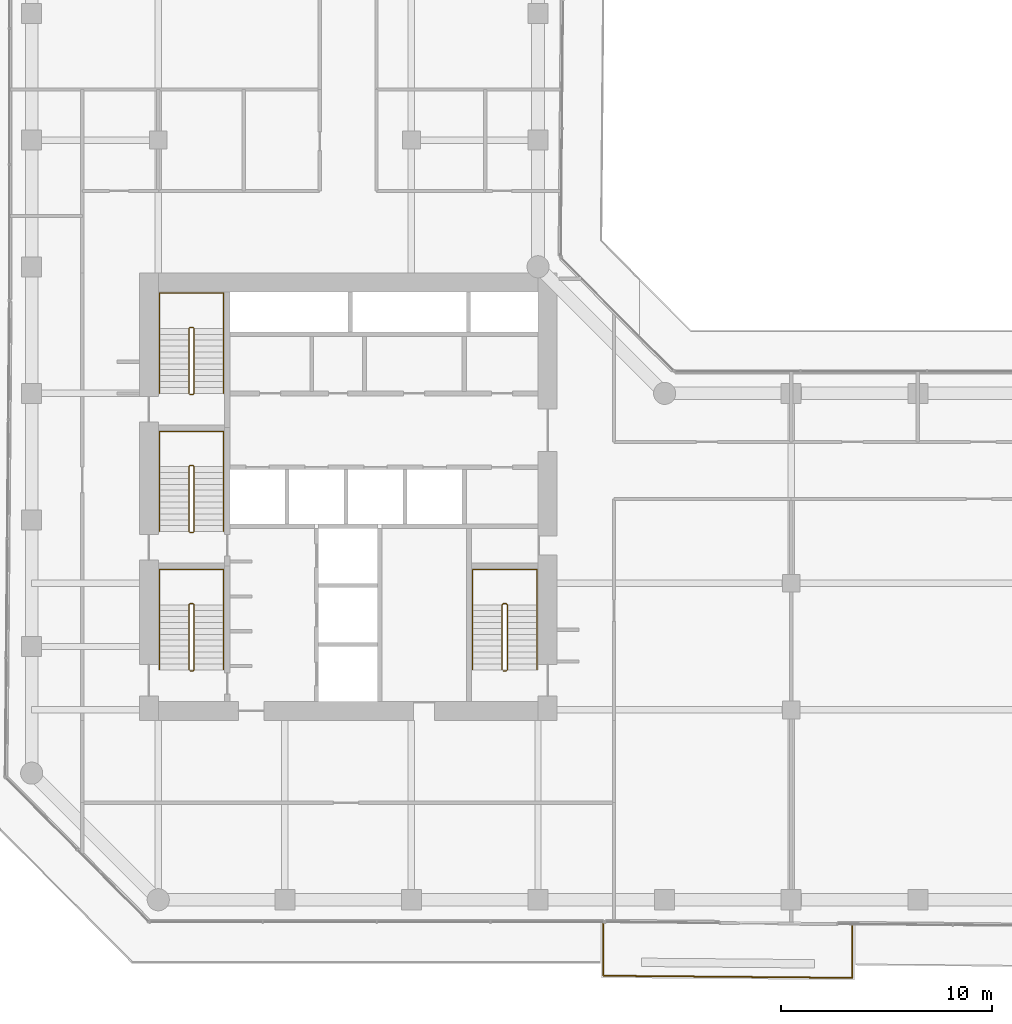
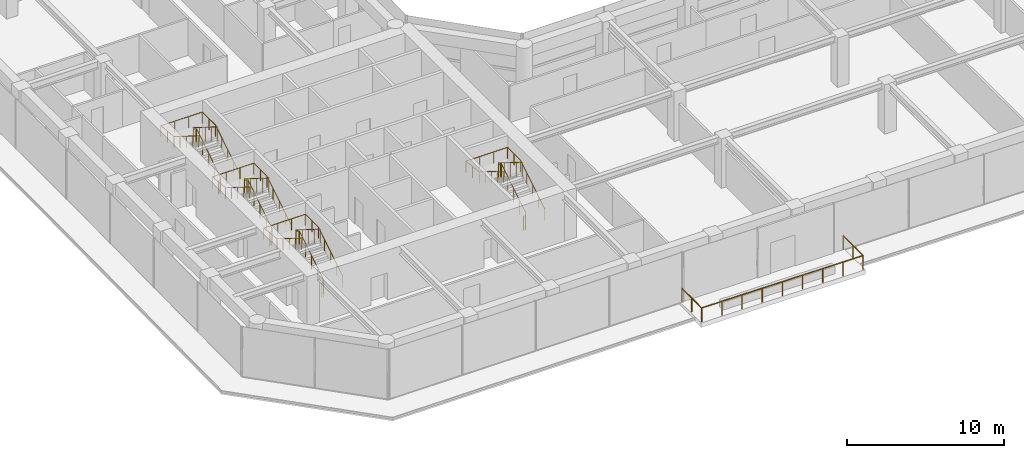
# One storey, part 28 of 29: 9 railings.
"""IFC4 building model written with IfcOpenShell, lengths in metres."""

from ifc_helpers import new_model, si_unit, direction, frame, origin, origin_2d, place, context, subcontext, project, spatial, circle, extrude, material, type_object, element, save


model = new_model("IFC4")

# Units and contexts
model_context = context("Model", 3, precision=1e-05, world=origin(), true_north=direction((0.0, 1.0)))
body_context = subcontext(model_context, "Body", "Model", "MODEL_VIEW")
ifc_project = project(units=[si_unit("LENGTHUNIT", "METRE"), si_unit("AREAUNIT", "SQUARE_METRE"), si_unit("VOLUMEUNIT", "CUBIC_METRE"), si_unit("PLANEANGLEUNIT", "RADIAN"), si_unit("MASSUNIT", "GRAM", prefix="KILO")], contexts=[model_context])

# Site, building, storey
site_placement = place(None, origin())
site = spatial("IfcSite", under=ifc_project, at=site_placement, CompositionType="ELEMENT")
building_placement = place(site_placement, origin())
building = spatial("IfcBuilding", under=site, at=building_placement, Name="Welwitschia Terrace Campus", CompositionType="ELEMENT")
storey_placement = place(building_placement, frame((0.0, 0.0, 50.0)))
storey = spatial("IfcBuildingStorey", under=building, at=storey_placement, Name="L11", CompositionType="ELEMENT", Elevation=50.0)

# Railings
ifc_material_1 = material(Name="Stainless steel grade 316", Category="steel")
railing_type_1 = type_object("IfcRailingType", Name="Guard 1100", PredefinedType="GUARDRAIL", material=ifc_material_1)
railing_1_placement = place(storey_placement, frame((38.900390625, -5.16064453125, 0.0)))
element("IfcRailing", 1, at=railing_1_placement, inside=storey, type_object=railing_type_1, Name="Guard terrace L11:0:0.0", PredefinedType="GUARDRAIL", context=body_context, shape_type="SweptSolid", body=[
    extrude(circle(Radius=0.02392578125, at=origin_2d()), frame((0.0, 0.0, 1.076171875), z_axis=(-0.000192086051, -0.999999981551, 0.0), x_axis=(0.999999981551, -0.000192086051, 0.0)), (0.0, 0.0, 1.0), 2.5419921875),
    extrude(circle(Radius=0.02392578125, at=origin_2d()), frame((-0.00048828125, -2.5419921875, 1.076171875), z_axis=(-0.999962782402, 0.008627503109, 0.0), x_axis=(-0.008627503109, -0.999962782402, 0.0)), (0.0, 0.0, 1.0), 11.80029296875),
    extrude(circle(Radius=0.02392578125, at=origin_2d()), frame((-11.80029296875, -2.440185546875, 1.076171875), z_axis=(0.0, 1.0, 0.0), x_axis=(-1.0, 0.0, 0.0)), (0.0, 0.0, 1.0), 2.542724609375),
    extrude(circle(Radius=0.02099609375, at=origin_2d()), origin(), (0.0, 0.0, 1.0), 1.052001953125),
    extrude(circle(Radius=0.02099609375, at=origin_2d()), frame((-0.000244140625, -1.27099609375, 0.0)), (0.0, 0.0, 1.0), 1.052001953125),
    extrude(circle(Radius=0.02099609375, at=origin_2d()), frame((-0.00048828125, -2.5419921875, 0.0)), (0.0, 0.0, 1.0), 1.052001953125),
    extrude(circle(Radius=0.02099609375, at=origin_2d()), frame((-1.4755859375, -2.529296875, 0.0)), (0.0, 0.0, 1.0), 1.052001953125),
    extrude(circle(Radius=0.02099609375, at=origin_2d()), frame((-2.950439453125, -2.5166015625, 0.0)), (0.0, 0.0, 1.0), 1.052001953125),
    extrude(circle(Radius=0.02099609375, at=origin_2d()), frame((-4.42529296875, -2.50390625, 0.0)), (0.0, 0.0, 1.0), 1.052001953125),
    extrude(circle(Radius=0.02099609375, at=origin_2d()), frame((-5.900390625, -2.4912109375, 0.0)), (0.0, 0.0, 1.0), 1.052001953125),
    extrude(circle(Radius=0.02099609375, at=origin_2d()), frame((-7.37548828125, -2.478271484375, 0.0)), (0.0, 0.0, 1.0), 1.052001953125),
    extrude(circle(Radius=0.02099609375, at=origin_2d()), frame((-8.850341796875, -2.465576171875, 0.0)), (0.0, 0.0, 1.0), 1.052001953125),
    extrude(circle(Radius=0.02099609375, at=origin_2d()), frame((-10.3251953125, -2.452880859375, 0.0)), (0.0, 0.0, 1.0), 1.052001953125),
    extrude(circle(Radius=0.02099609375, at=origin_2d()), frame((-11.80029296875, -2.440185546875, 0.0)), (0.0, 0.0, 1.0), 1.052001953125),
    extrude(circle(Radius=0.02099609375, at=origin_2d()), frame((-11.80029296875, -1.1689453125, 0.0)), (0.0, 0.0, 1.0), 1.052001953125),
    extrude(circle(Radius=0.02099609375, at=origin_2d()), frame((-11.80029296875, 0.1025390625, 0.0)), (0.0, 0.0, 1.0), 1.052001953125),
])
ifc_material_2 = material(Name="Steel S355", Category="steel")
railing_type_2 = type_object("IfcRailingType", Name="Stair guard 1100", PredefinedType="GUARDRAIL", material=ifc_material_2)
railing_2_placement = place(storey_placement, frame((7.5, 6.85009765625, 0.0)))
element("IfcRailing", 2, at=railing_2_placement, inside=storey, type_object=railing_type_2, Name="L11 S1 stair guard", PredefinedType="GUARDRAIL", context=body_context, shape_type="SweptSolid", body=[
    extrude(circle(Radius=0.02392578125, at=origin_2d()), frame((0.0, 0.0, 1.076171875), z_axis=(1.0, 0.0, 0.0), x_axis=(0.0, 1.0, 0.0)), (0.0, 0.0, 1.0), 0.14990234375),
    extrude(circle(Radius=0.02392578125, at=origin_2d()), frame((0.14990234375, 0.0, 1.076171875), z_axis=(0.265155923931, 0.263862480399, 0.927399011991), x_axis=(-0.705375805398, 0.708833529934, 0.0)), (0.0, 0.0, 1.0), 0.188720703125),
    extrude(circle(Radius=0.02392578125, at=origin_2d()), frame((0.199951171875, 0.0498046875, 1.2509765625), z_axis=(0.0, 0.847998304005, 0.529998940003), x_axis=(-1.0, 0.0, 0.0)), (0.0, 0.0, 1.0), 3.632080078125),
    extrude(circle(Radius=0.02392578125, at=origin_2d()), frame((0.199951171875, 3.1298828125, 3.17626953125), z_axis=(-0.707106781187, 0.707106781187, 0.0), x_axis=(-0.707106781187, -0.707106781187, 0.0)), (0.0, 0.0, 1.0), 0.07080078125),
    extrude(circle(Radius=0.02392578125, at=origin_2d()), frame((0.14990234375, 3.179931640625, 3.17626953125), z_axis=(-1.0, 0.0, 0.0), x_axis=(0.0, -1.0, 0.0)), (0.0, 0.0, 1.0), 0.14990234375),
    extrude(circle(Radius=0.02392578125, at=origin_2d()), frame((0.0, 3.179931640625, 3.17626953125), z_axis=(-0.265383341853, -0.265383341853, 0.926899867156), x_axis=(0.707106781187, -0.707106781187, 0.0)), (0.0, 0.0, 1.0), 0.1884765625),
    extrude(circle(Radius=0.02392578125, at=origin_2d()), frame((-0.050048828125, 3.1298828125, 3.35107421875), z_axis=(0.0, -0.847998304005, 0.529998940003), x_axis=(1.0, 0.0, 0.0)), (0.0, 0.0, 1.0), 3.632080078125),
    extrude(circle(Radius=0.02099609375, at=origin_2d()), origin(), (0.0, 0.0, 1.0), 1.052001953125),
    extrude(circle(Radius=0.02099609375, at=origin_2d()), frame((0.14990234375, 0.0, 0.0)), (0.0, 0.0, 1.0), 1.052001953125),
    extrude(circle(Radius=0.02099609375, at=origin_2d()), frame((0.199951171875, 0.0498046875, 0.175048828125)), (0.0, 0.0, 1.0), 1.052001953125),
    extrude(circle(Radius=0.02099609375, at=origin_2d()), frame((0.199951171875, 0.81982421875, 0.65625)), (0.0, 0.0, 1.0), 1.052001953125),
    extrude(circle(Radius=0.02099609375, at=origin_2d()), frame((0.199951171875, 1.58984375, 1.1376953125)), (0.0, 0.0, 1.0), 1.052001953125),
    extrude(circle(Radius=0.02099609375, at=origin_2d()), frame((0.199951171875, 2.35986328125, 1.618896484375)), (0.0, 0.0, 1.0), 1.052001953125),
    extrude(circle(Radius=0.02099609375, at=origin_2d()), frame((0.199951171875, 3.1298828125, 2.10009765625)), (0.0, 0.0, 1.0), 1.052001953125),
    extrude(circle(Radius=0.02099609375, at=origin_2d()), frame((0.14990234375, 3.179931640625, 2.10009765625)), (0.0, 0.0, 1.0), 1.052001953125),
    extrude(circle(Radius=0.02099609375, at=origin_2d()), frame((0.0, 3.179931640625, 2.10009765625)), (0.0, 0.0, 1.0), 1.052001953125),
    extrude(circle(Radius=0.02099609375, at=origin_2d()), frame((-0.050048828125, 3.1298828125, 2.27490234375)), (0.0, 0.0, 1.0), 1.052001953125),
    extrude(circle(Radius=0.02099609375, at=origin_2d()), frame((-0.050048828125, 2.35986328125, 2.756103515625)), (0.0, 0.0, 1.0), 1.052001953125),
    extrude(circle(Radius=0.02099609375, at=origin_2d()), frame((-0.050048828125, 1.58984375, 3.2373046875)), (0.0, 0.0, 1.0), 1.052001953125),
    extrude(circle(Radius=0.02099609375, at=origin_2d()), frame((-0.050048828125, 0.81982421875, 3.71875)), (0.0, 0.0, 1.0), 1.052001953125),
    extrude(circle(Radius=0.02099609375, at=origin_2d()), frame((-0.050048828125, 0.0498046875, 4.199951171875)), (0.0, 0.0, 1.0), 1.052001953125),
])
railing_3_placement = place(storey_placement, frame((7.5, 13.39990234375, 0.0)))
element("IfcRailing", 3, at=railing_3_placement, inside=storey, type_object=railing_type_2, Name="L11 S3 stair guard", PredefinedType="GUARDRAIL", context=body_context, shape_type="SweptSolid", body=[
    extrude(circle(Radius=0.02392578125, at=origin_2d()), frame((0.0, 0.0, 1.076171875), z_axis=(1.0, 0.0, 0.0), x_axis=(0.0, 1.0, 0.0)), (0.0, 0.0, 1.0), 0.14990234375),
    extrude(circle(Radius=0.02392578125, at=origin_2d()), frame((0.14990234375, 0.0, 1.076171875), z_axis=(0.265065253269, 0.265065253269, 0.927081885822), x_axis=(-0.707106781187, 0.707106781187, 0.0)), (0.0, 0.0, 1.0), 0.188720703125),
    extrude(circle(Radius=0.02392578125, at=origin_2d()), frame((0.199951171875, 0.050048828125, 1.2509765625), z_axis=(0.0, 0.847998304005, 0.529998940003), x_axis=(-1.0, 0.0, 0.0)), (0.0, 0.0, 1.0), 3.632080078125),
    extrude(circle(Radius=0.02392578125, at=origin_2d()), frame((0.199951171875, 3.130126953125, 3.17626953125), z_axis=(-0.707106781187, 0.707106781187, 0.0), x_axis=(-0.707106781187, -0.707106781187, 0.0)), (0.0, 0.0, 1.0), 0.07080078125),
    extrude(circle(Radius=0.02392578125, at=origin_2d()), frame((0.14990234375, 3.18017578125, 3.17626953125), z_axis=(-1.0, 0.0, 0.0), x_axis=(0.0, -1.0, 0.0)), (0.0, 0.0, 1.0), 0.14990234375),
    extrude(circle(Radius=0.02392578125, at=origin_2d()), frame((0.0, 3.18017578125, 3.17626953125), z_axis=(-0.265383341853, -0.265383341853, 0.926899867156), x_axis=(0.707106781187, -0.707106781187, 0.0)), (0.0, 0.0, 1.0), 0.1884765625),
    extrude(circle(Radius=0.02392578125, at=origin_2d()), frame((-0.050048828125, 3.130126953125, 3.35107421875), z_axis=(0.0, -0.847998304005, 0.529998940003), x_axis=(1.0, 0.0, 0.0)), (0.0, 0.0, 1.0), 3.632080078125),
    extrude(circle(Radius=0.02099609375, at=origin_2d()), origin(), (0.0, 0.0, 1.0), 1.052001953125),
    extrude(circle(Radius=0.02099609375, at=origin_2d()), frame((0.14990234375, 0.0, 0.0)), (0.0, 0.0, 1.0), 1.052001953125),
    extrude(circle(Radius=0.02099609375, at=origin_2d()), frame((0.199951171875, 0.050048828125, 0.175048828125)), (0.0, 0.0, 1.0), 1.052001953125),
    extrude(circle(Radius=0.02099609375, at=origin_2d()), frame((0.199951171875, 0.820068359375, 0.65625)), (0.0, 0.0, 1.0), 1.052001953125),
    extrude(circle(Radius=0.02099609375, at=origin_2d()), frame((0.199951171875, 1.590087890625, 1.1376953125)), (0.0, 0.0, 1.0), 1.052001953125),
    extrude(circle(Radius=0.02099609375, at=origin_2d()), frame((0.199951171875, 2.360107421875, 1.618896484375)), (0.0, 0.0, 1.0), 1.052001953125),
    extrude(circle(Radius=0.02099609375, at=origin_2d()), frame((0.199951171875, 3.130126953125, 2.10009765625)), (0.0, 0.0, 1.0), 1.052001953125),
    extrude(circle(Radius=0.02099609375, at=origin_2d()), frame((0.14990234375, 3.18017578125, 2.10009765625)), (0.0, 0.0, 1.0), 1.052001953125),
    extrude(circle(Radius=0.02099609375, at=origin_2d()), frame((0.0, 3.18017578125, 2.10009765625)), (0.0, 0.0, 1.0), 1.052001953125),
    extrude(circle(Radius=0.02099609375, at=origin_2d()), frame((-0.050048828125, 3.130126953125, 2.27490234375)), (0.0, 0.0, 1.0), 1.052001953125),
    extrude(circle(Radius=0.02099609375, at=origin_2d()), frame((-0.050048828125, 2.360107421875, 2.756103515625)), (0.0, 0.0, 1.0), 1.052001953125),
    extrude(circle(Radius=0.02099609375, at=origin_2d()), frame((-0.050048828125, 1.590087890625, 3.2373046875)), (0.0, 0.0, 1.0), 1.052001953125),
    extrude(circle(Radius=0.02099609375, at=origin_2d()), frame((-0.050048828125, 0.820068359375, 3.71875)), (0.0, 0.0, 1.0), 1.052001953125),
    extrude(circle(Radius=0.02099609375, at=origin_2d()), frame((-0.050048828125, 0.050048828125, 4.199951171875)), (0.0, 0.0, 1.0), 1.052001953125),
])
railing_4_placement = place(storey_placement, frame((7.5, 19.949951171875, 0.0)))
element("IfcRailing", 4, at=railing_4_placement, inside=storey, type_object=railing_type_2, Name="L11 S4 stair guard", PredefinedType="GUARDRAIL", context=body_context, shape_type="SweptSolid", body=[
    extrude(circle(Radius=0.02392578125, at=origin_2d()), frame((0.0, 0.0, 1.076171875), z_axis=(1.0, 0.0, 0.0), x_axis=(0.0, 1.0, 0.0)), (0.0, 0.0, 1.0), 0.14990234375),
    extrude(circle(Radius=0.02392578125, at=origin_2d()), frame((0.14990234375, 0.0, 1.076171875), z_axis=(0.265065253269, 0.265065253269, 0.927081885822), x_axis=(-0.707106781187, 0.707106781187, 0.0)), (0.0, 0.0, 1.0), 0.188720703125),
    extrude(circle(Radius=0.02392578125, at=origin_2d()), frame((0.199951171875, 0.050048828125, 1.2509765625), z_axis=(0.0, 0.847998304005, 0.529998940003), x_axis=(-1.0, 0.0, 0.0)), (0.0, 0.0, 1.0), 3.632080078125),
    extrude(circle(Radius=0.02392578125, at=origin_2d()), frame((0.199951171875, 3.130126953125, 3.17626953125), z_axis=(-0.708833529934, 0.705375805398, 0.0), x_axis=(-0.705375805398, -0.708833529934, 0.0)), (0.0, 0.0, 1.0), 0.070556640625),
    extrude(circle(Radius=0.02392578125, at=origin_2d()), frame((0.14990234375, 3.179931640625, 3.17626953125), z_axis=(-1.0, 0.0, 0.0), x_axis=(0.0, -1.0, 0.0)), (0.0, 0.0, 1.0), 0.14990234375),
    extrude(circle(Radius=0.02392578125, at=origin_2d()), frame((0.0, 3.179931640625, 3.17626953125), z_axis=(-0.265474339444, -0.264179342666, 0.927217692888), x_axis=(0.705375805398, -0.708833529934, 0.0)), (0.0, 0.0, 1.0), 0.1884765625),
    extrude(circle(Radius=0.02392578125, at=origin_2d()), frame((-0.050048828125, 3.130126953125, 3.35107421875), z_axis=(0.0, -0.847998304005, 0.529998940003), x_axis=(1.0, 0.0, 0.0)), (0.0, 0.0, 1.0), 3.632080078125),
    extrude(circle(Radius=0.02099609375, at=origin_2d()), origin(), (0.0, 0.0, 1.0), 1.052001953125),
    extrude(circle(Radius=0.02099609375, at=origin_2d()), frame((0.14990234375, 0.0, 0.0)), (0.0, 0.0, 1.0), 1.052001953125),
    extrude(circle(Radius=0.02099609375, at=origin_2d()), frame((0.199951171875, 0.050048828125, 0.175048828125)), (0.0, 0.0, 1.0), 1.052001953125),
    extrude(circle(Radius=0.02099609375, at=origin_2d()), frame((0.199951171875, 0.820068359375, 0.65625)), (0.0, 0.0, 1.0), 1.052001953125),
    extrude(circle(Radius=0.02099609375, at=origin_2d()), frame((0.199951171875, 1.590087890625, 1.1376953125)), (0.0, 0.0, 1.0), 1.052001953125),
    extrude(circle(Radius=0.02099609375, at=origin_2d()), frame((0.199951171875, 2.360107421875, 1.618896484375)), (0.0, 0.0, 1.0), 1.052001953125),
    extrude(circle(Radius=0.02099609375, at=origin_2d()), frame((0.199951171875, 3.130126953125, 2.10009765625)), (0.0, 0.0, 1.0), 1.052001953125),
    extrude(circle(Radius=0.02099609375, at=origin_2d()), frame((0.14990234375, 3.179931640625, 2.10009765625)), (0.0, 0.0, 1.0), 1.052001953125),
    extrude(circle(Radius=0.02099609375, at=origin_2d()), frame((0.0, 3.179931640625, 2.10009765625)), (0.0, 0.0, 1.0), 1.052001953125),
    extrude(circle(Radius=0.02099609375, at=origin_2d()), frame((-0.050048828125, 3.130126953125, 2.27490234375)), (0.0, 0.0, 1.0), 1.052001953125),
    extrude(circle(Radius=0.02099609375, at=origin_2d()), frame((-0.050048828125, 2.360107421875, 2.756103515625)), (0.0, 0.0, 1.0), 1.052001953125),
    extrude(circle(Radius=0.02099609375, at=origin_2d()), frame((-0.050048828125, 1.590087890625, 3.2373046875)), (0.0, 0.0, 1.0), 1.052001953125),
    extrude(circle(Radius=0.02099609375, at=origin_2d()), frame((-0.050048828125, 0.820068359375, 3.71875)), (0.0, 0.0, 1.0), 1.052001953125),
    extrude(circle(Radius=0.02099609375, at=origin_2d()), frame((-0.050048828125, 0.050048828125, 4.199951171875)), (0.0, 0.0, 1.0), 1.052001953125),
])
railing_5_placement = place(storey_placement, frame((22.35009765625, 6.85009765625, 0.0)))
element("IfcRailing", 5, at=railing_5_placement, inside=storey, type_object=railing_type_2, Name="L11 S2 stair guard", PredefinedType="GUARDRAIL", context=body_context, shape_type="SweptSolid", body=[
    extrude(circle(Radius=0.02392578125, at=origin_2d()), frame((0.0, 0.0, 1.076171875), z_axis=(1.0, 0.0, 0.0), x_axis=(0.0, 1.0, 0.0)), (0.0, 0.0, 1.0), 0.14990234375),
    extrude(circle(Radius=0.02392578125, at=origin_2d()), frame((0.14990234375, 0.0, 1.076171875), z_axis=(0.265155923931, 0.263862480399, 0.927399011991), x_axis=(-0.705375805398, 0.708833529934, 0.0)), (0.0, 0.0, 1.0), 0.188720703125),
    extrude(circle(Radius=0.02392578125, at=origin_2d()), frame((0.199951171875, 0.0498046875, 1.2509765625), z_axis=(0.0, 0.847998304005, 0.529998940003), x_axis=(-1.0, 0.0, 0.0)), (0.0, 0.0, 1.0), 3.632080078125),
    extrude(circle(Radius=0.02392578125, at=origin_2d()), frame((0.199951171875, 3.1298828125, 3.17626953125), z_axis=(-0.707106781187, 0.707106781187, 0.0), x_axis=(-0.707106781187, -0.707106781187, 0.0)), (0.0, 0.0, 1.0), 0.07080078125),
    extrude(circle(Radius=0.02392578125, at=origin_2d()), frame((0.14990234375, 3.179931640625, 3.17626953125), z_axis=(-1.0, 0.0, 0.0), x_axis=(0.0, -1.0, 0.0)), (0.0, 0.0, 1.0), 0.14990234375),
    extrude(circle(Radius=0.02392578125, at=origin_2d()), frame((0.0, 3.179931640625, 3.17626953125), z_axis=(-0.265383341853, -0.265383341853, 0.926899867156), x_axis=(0.707106781187, -0.707106781187, 0.0)), (0.0, 0.0, 1.0), 0.1884765625),
    extrude(circle(Radius=0.02392578125, at=origin_2d()), frame((-0.050048828125, 3.1298828125, 3.35107421875), z_axis=(0.0, -0.847998304005, 0.529998940003), x_axis=(1.0, 0.0, 0.0)), (0.0, 0.0, 1.0), 3.632080078125),
    extrude(circle(Radius=0.02099609375, at=origin_2d()), origin(), (0.0, 0.0, 1.0), 1.052001953125),
    extrude(circle(Radius=0.02099609375, at=origin_2d()), frame((0.14990234375, 0.0, 0.0)), (0.0, 0.0, 1.0), 1.052001953125),
    extrude(circle(Radius=0.02099609375, at=origin_2d()), frame((0.199951171875, 0.0498046875, 0.175048828125)), (0.0, 0.0, 1.0), 1.052001953125),
    extrude(circle(Radius=0.02099609375, at=origin_2d()), frame((0.199951171875, 0.81982421875, 0.65625)), (0.0, 0.0, 1.0), 1.052001953125),
    extrude(circle(Radius=0.02099609375, at=origin_2d()), frame((0.199951171875, 1.58984375, 1.1376953125)), (0.0, 0.0, 1.0), 1.052001953125),
    extrude(circle(Radius=0.02099609375, at=origin_2d()), frame((0.199951171875, 2.35986328125, 1.618896484375)), (0.0, 0.0, 1.0), 1.052001953125),
    extrude(circle(Radius=0.02099609375, at=origin_2d()), frame((0.199951171875, 3.1298828125, 2.10009765625)), (0.0, 0.0, 1.0), 1.052001953125),
    extrude(circle(Radius=0.02099609375, at=origin_2d()), frame((0.14990234375, 3.179931640625, 2.10009765625)), (0.0, 0.0, 1.0), 1.052001953125),
    extrude(circle(Radius=0.02099609375, at=origin_2d()), frame((0.0, 3.179931640625, 2.10009765625)), (0.0, 0.0, 1.0), 1.052001953125),
    extrude(circle(Radius=0.02099609375, at=origin_2d()), frame((-0.050048828125, 3.1298828125, 2.27490234375)), (0.0, 0.0, 1.0), 1.052001953125),
    extrude(circle(Radius=0.02099609375, at=origin_2d()), frame((-0.050048828125, 2.35986328125, 2.756103515625)), (0.0, 0.0, 1.0), 1.052001953125),
    extrude(circle(Radius=0.02099609375, at=origin_2d()), frame((-0.050048828125, 1.58984375, 3.2373046875)), (0.0, 0.0, 1.0), 1.052001953125),
    extrude(circle(Radius=0.02099609375, at=origin_2d()), frame((-0.050048828125, 0.81982421875, 3.71875)), (0.0, 0.0, 1.0), 1.052001953125),
    extrude(circle(Radius=0.02099609375, at=origin_2d()), frame((-0.050048828125, 0.0498046875, 4.199951171875)), (0.0, 0.0, 1.0), 1.052001953125),
])
ifc_material_3 = material(Name="Steel S355", Category="steel")
railing_type_3 = type_object("IfcRailingType", Name="Stair handrail 900", PredefinedType="HANDRAIL", material=ifc_material_3)
railing_6_placement = place(storey_placement, frame((9.10009765625, 6.89990234375, 0.175048828125)))
element("IfcRailing", 6, at=railing_6_placement, inside=storey, type_object=railing_type_3, Name="L11 S1 stair handrail", PredefinedType="HANDRAIL", context=body_context, shape_type="SweptSolid", body=[
    extrude(circle(Radius=0.02392578125, at=origin_2d()), frame((0.0, 0.0, 0.8759765625), z_axis=(0.0, 0.847998304005, 0.529998940003), x_axis=(-1.0, 0.0, 0.0)), (0.0, 0.0, 1.0), 3.632080078125),
    extrude(circle(Radius=0.02392578125, at=origin_2d()), frame((0.0, 3.080078125, 2.80078125), z_axis=(0.0, 1.0, 0.0), x_axis=(-1.0, 0.0, 0.0)), (0.0, 0.0, 1.0), 1.669921875),
    extrude(circle(Radius=0.02392578125, at=origin_2d()), frame((0.0, 4.75, 2.80078125), z_axis=(-1.0, 0.0, 0.0), x_axis=(0.0, -1.0, 0.0)), (0.0, 0.0, 1.0), 3.050048828125),
    extrude(circle(Radius=0.02392578125, at=origin_2d()), frame((-3.050048828125, 4.75, 2.80078125), z_axis=(0.0, -0.994565838508, 0.104109523446), x_axis=(1.0, 0.0, 0.0)), (0.0, 0.0, 1.0), 1.678955078125),
    extrude(circle(Radius=0.02392578125, at=origin_2d()), frame((-3.050048828125, 3.080078125, 2.9755859375), z_axis=(0.0, -0.847998304005, 0.529998940003), x_axis=(1.0, 0.0, 0.0)), (0.0, 0.0, 1.0), 3.632080078125),
    extrude(circle(Radius=0.02099609375, at=origin_2d()), origin(), (0.0, 0.0, 1.0), 0.851806640625),
    extrude(circle(Radius=0.02099609375, at=origin_2d()), frame((0.0, 0.77001953125, 0.481201171875)), (0.0, 0.0, 1.0), 0.851806640625),
    extrude(circle(Radius=0.02099609375, at=origin_2d()), frame((0.0, 1.5400390625, 0.96240234375)), (0.0, 0.0, 1.0), 0.851806640625),
    extrude(circle(Radius=0.02099609375, at=origin_2d()), frame((0.0, 2.31005859375, 1.44384765625)), (0.0, 0.0, 1.0), 0.851806640625),
    extrude(circle(Radius=0.02099609375, at=origin_2d()), frame((0.0, 3.080078125, 1.925048828125)), (0.0, 0.0, 1.0), 0.851806640625),
    extrude(circle(Radius=0.02099609375, at=origin_2d()), frame((0.0, 3.9150390625, 1.925048828125)), (0.0, 0.0, 1.0), 0.851806640625),
    extrude(circle(Radius=0.02099609375, at=origin_2d()), frame((0.0, 4.75, 1.925048828125)), (0.0, 0.0, 1.0), 0.851806640625),
    extrude(circle(Radius=0.02099609375, at=origin_2d()), frame((-1.0166015625, 4.75, 1.925048828125)), (0.0, 0.0, 1.0), 0.851806640625),
    extrude(circle(Radius=0.02099609375, at=origin_2d()), frame((-2.033447265625, 4.75, 1.925048828125)), (0.0, 0.0, 1.0), 0.851806640625),
    extrude(circle(Radius=0.02099609375, at=origin_2d()), frame((-3.050048828125, 4.75, 1.925048828125)), (0.0, 0.0, 1.0), 0.851806640625),
    extrude(circle(Radius=0.02099609375, at=origin_2d()), frame((-3.050048828125, 3.9150390625, 2.012451171875)), (0.0, 0.0, 1.0), 0.851806640625),
    extrude(circle(Radius=0.02099609375, at=origin_2d()), frame((-3.050048828125, 3.080078125, 2.099853515625)), (0.0, 0.0, 1.0), 0.851806640625),
    extrude(circle(Radius=0.02099609375, at=origin_2d()), frame((-3.050048828125, 2.31005859375, 2.5810546875)), (0.0, 0.0, 1.0), 0.851806640625),
    extrude(circle(Radius=0.02099609375, at=origin_2d()), frame((-3.050048828125, 1.5400390625, 3.0625)), (0.0, 0.0, 1.0), 0.851806640625),
    extrude(circle(Radius=0.02099609375, at=origin_2d()), frame((-3.050048828125, 0.77001953125, 3.543701171875)), (0.0, 0.0, 1.0), 0.851806640625),
    extrude(circle(Radius=0.02099609375, at=origin_2d()), frame((-3.050048828125, 0.0, 4.02490234375)), (0.0, 0.0, 1.0), 0.851806640625),
])
railing_7_placement = place(storey_placement, frame((9.10009765625, 13.449951171875, 0.175048828125)))
element("IfcRailing", 7, at=railing_7_placement, inside=storey, type_object=railing_type_3, Name="L11 S3 stair handrail", PredefinedType="HANDRAIL", context=body_context, shape_type="SweptSolid", body=[
    extrude(circle(Radius=0.02392578125, at=origin_2d()), frame((0.0, 0.0, 0.8759765625), z_axis=(0.0, 0.847998304005, 0.529998940003), x_axis=(-1.0, 0.0, 0.0)), (0.0, 0.0, 1.0), 3.632080078125),
    extrude(circle(Radius=0.02392578125, at=origin_2d()), frame((0.0, 3.080078125, 2.80078125), z_axis=(0.0, 1.0, 0.0), x_axis=(-1.0, 0.0, 0.0)), (0.0, 0.0, 1.0), 1.669921875),
    extrude(circle(Radius=0.02392578125, at=origin_2d()), frame((0.0, 4.75, 2.80078125), z_axis=(-1.0, 0.0, 0.0), x_axis=(0.0, -1.0, 0.0)), (0.0, 0.0, 1.0), 3.050048828125),
    extrude(circle(Radius=0.02392578125, at=origin_2d()), frame((-3.050048828125, 4.75, 2.80078125), z_axis=(0.0, -0.994565838508, 0.104109523446), x_axis=(1.0, 0.0, 0.0)), (0.0, 0.0, 1.0), 1.678955078125),
    extrude(circle(Radius=0.02392578125, at=origin_2d()), frame((-3.050048828125, 3.080078125, 2.9755859375), z_axis=(0.0, -0.847998304005, 0.529998940003), x_axis=(1.0, 0.0, 0.0)), (0.0, 0.0, 1.0), 3.632080078125),
    extrude(circle(Radius=0.02099609375, at=origin_2d()), origin(), (0.0, 0.0, 1.0), 0.851806640625),
    extrude(circle(Radius=0.02099609375, at=origin_2d()), frame((0.0, 0.77001953125, 0.481201171875)), (0.0, 0.0, 1.0), 0.851806640625),
    extrude(circle(Radius=0.02099609375, at=origin_2d()), frame((0.0, 1.5400390625, 0.96240234375)), (0.0, 0.0, 1.0), 0.851806640625),
    extrude(circle(Radius=0.02099609375, at=origin_2d()), frame((0.0, 2.31005859375, 1.44384765625)), (0.0, 0.0, 1.0), 0.851806640625),
    extrude(circle(Radius=0.02099609375, at=origin_2d()), frame((0.0, 3.080078125, 1.925048828125)), (0.0, 0.0, 1.0), 0.851806640625),
    extrude(circle(Radius=0.02099609375, at=origin_2d()), frame((0.0, 3.9150390625, 1.925048828125)), (0.0, 0.0, 1.0), 0.851806640625),
    extrude(circle(Radius=0.02099609375, at=origin_2d()), frame((0.0, 4.75, 1.925048828125)), (0.0, 0.0, 1.0), 0.851806640625),
    extrude(circle(Radius=0.02099609375, at=origin_2d()), frame((-1.0166015625, 4.75, 1.925048828125)), (0.0, 0.0, 1.0), 0.851806640625),
    extrude(circle(Radius=0.02099609375, at=origin_2d()), frame((-2.033447265625, 4.75, 1.925048828125)), (0.0, 0.0, 1.0), 0.851806640625),
    extrude(circle(Radius=0.02099609375, at=origin_2d()), frame((-3.050048828125, 4.75, 1.925048828125)), (0.0, 0.0, 1.0), 0.851806640625),
    extrude(circle(Radius=0.02099609375, at=origin_2d()), frame((-3.050048828125, 3.9150390625, 2.012451171875)), (0.0, 0.0, 1.0), 0.851806640625),
    extrude(circle(Radius=0.02099609375, at=origin_2d()), frame((-3.050048828125, 3.080078125, 2.099853515625)), (0.0, 0.0, 1.0), 0.851806640625),
    extrude(circle(Radius=0.02099609375, at=origin_2d()), frame((-3.050048828125, 2.31005859375, 2.5810546875)), (0.0, 0.0, 1.0), 0.851806640625),
    extrude(circle(Radius=0.02099609375, at=origin_2d()), frame((-3.050048828125, 1.5400390625, 3.0625)), (0.0, 0.0, 1.0), 0.851806640625),
    extrude(circle(Radius=0.02099609375, at=origin_2d()), frame((-3.050048828125, 0.77001953125, 3.543701171875)), (0.0, 0.0, 1.0), 0.851806640625),
    extrude(circle(Radius=0.02099609375, at=origin_2d()), frame((-3.050048828125, 0.0, 4.02490234375)), (0.0, 0.0, 1.0), 0.851806640625),
])
railing_8_placement = place(storey_placement, frame((9.10009765625, 20.0, 0.175048828125)))
element("IfcRailing", 8, at=railing_8_placement, inside=storey, type_object=railing_type_3, Name="L11 S4 stair handrail", PredefinedType="HANDRAIL", context=body_context, shape_type="SweptSolid", body=[
    extrude(circle(Radius=0.02392578125, at=origin_2d()), frame((0.0, 0.0, 0.8759765625), z_axis=(0.0, 0.847998304005, 0.529998940003), x_axis=(-1.0, 0.0, 0.0)), (0.0, 0.0, 1.0), 3.632080078125),
    extrude(circle(Radius=0.02392578125, at=origin_2d()), frame((0.0, 3.080078125, 2.80078125), z_axis=(0.0, 1.0, 0.0), x_axis=(-1.0, 0.0, 0.0)), (0.0, 0.0, 1.0), 1.669921875),
    extrude(circle(Radius=0.02392578125, at=origin_2d()), frame((0.0, 4.75, 2.80078125), z_axis=(-1.0, 0.0, 0.0), x_axis=(0.0, -1.0, 0.0)), (0.0, 0.0, 1.0), 3.050048828125),
    extrude(circle(Radius=0.02392578125, at=origin_2d()), frame((-3.050048828125, 4.75, 2.80078125), z_axis=(0.0, -0.994565838508, 0.104109523446), x_axis=(1.0, 0.0, 0.0)), (0.0, 0.0, 1.0), 1.678955078125),
    extrude(circle(Radius=0.02392578125, at=origin_2d()), frame((-3.050048828125, 3.080078125, 2.9755859375), z_axis=(0.0, -0.847998304005, 0.529998940003), x_axis=(1.0, 0.0, 0.0)), (0.0, 0.0, 1.0), 3.632080078125),
    extrude(circle(Radius=0.02099609375, at=origin_2d()), origin(), (0.0, 0.0, 1.0), 0.851806640625),
    extrude(circle(Radius=0.02099609375, at=origin_2d()), frame((0.0, 0.77001953125, 0.481201171875)), (0.0, 0.0, 1.0), 0.851806640625),
    extrude(circle(Radius=0.02099609375, at=origin_2d()), frame((0.0, 1.5400390625, 0.96240234375)), (0.0, 0.0, 1.0), 0.851806640625),
    extrude(circle(Radius=0.02099609375, at=origin_2d()), frame((0.0, 2.31005859375, 1.44384765625)), (0.0, 0.0, 1.0), 0.851806640625),
    extrude(circle(Radius=0.02099609375, at=origin_2d()), frame((0.0, 3.080078125, 1.925048828125)), (0.0, 0.0, 1.0), 0.851806640625),
    extrude(circle(Radius=0.02099609375, at=origin_2d()), frame((0.0, 3.9150390625, 1.925048828125)), (0.0, 0.0, 1.0), 0.851806640625),
    extrude(circle(Radius=0.02099609375, at=origin_2d()), frame((0.0, 4.75, 1.925048828125)), (0.0, 0.0, 1.0), 0.851806640625),
    extrude(circle(Radius=0.02099609375, at=origin_2d()), frame((-1.0166015625, 4.75, 1.925048828125)), (0.0, 0.0, 1.0), 0.851806640625),
    extrude(circle(Radius=0.02099609375, at=origin_2d()), frame((-2.033447265625, 4.75, 1.925048828125)), (0.0, 0.0, 1.0), 0.851806640625),
    extrude(circle(Radius=0.02099609375, at=origin_2d()), frame((-3.050048828125, 4.75, 1.925048828125)), (0.0, 0.0, 1.0), 0.851806640625),
    extrude(circle(Radius=0.02099609375, at=origin_2d()), frame((-3.050048828125, 3.9150390625, 2.012451171875)), (0.0, 0.0, 1.0), 0.851806640625),
    extrude(circle(Radius=0.02099609375, at=origin_2d()), frame((-3.050048828125, 3.080078125, 2.099853515625)), (0.0, 0.0, 1.0), 0.851806640625),
    extrude(circle(Radius=0.02099609375, at=origin_2d()), frame((-3.050048828125, 2.31005859375, 2.5810546875)), (0.0, 0.0, 1.0), 0.851806640625),
    extrude(circle(Radius=0.02099609375, at=origin_2d()), frame((-3.050048828125, 1.5400390625, 3.0625)), (0.0, 0.0, 1.0), 0.851806640625),
    extrude(circle(Radius=0.02099609375, at=origin_2d()), frame((-3.050048828125, 0.77001953125, 3.543701171875)), (0.0, 0.0, 1.0), 0.851806640625),
    extrude(circle(Radius=0.02099609375, at=origin_2d()), frame((-3.050048828125, 0.0, 4.02490234375)), (0.0, 0.0, 1.0), 0.851806640625),
])
railing_9_placement = place(storey_placement, frame((23.949951171875, 6.89990234375, 0.175048828125)))
element("IfcRailing", 9, at=railing_9_placement, inside=storey, type_object=railing_type_3, Name="L11 S2 stair handrail", PredefinedType="HANDRAIL", context=body_context, shape_type="SweptSolid", body=[
    extrude(circle(Radius=0.02392578125, at=origin_2d()), frame((0.0, 0.0, 0.8759765625), z_axis=(0.0, 0.847998304005, 0.529998940003), x_axis=(-1.0, 0.0, 0.0)), (0.0, 0.0, 1.0), 3.632080078125),
    extrude(circle(Radius=0.02392578125, at=origin_2d()), frame((0.0, 3.080078125, 2.80078125), z_axis=(0.0, 1.0, 0.0), x_axis=(-1.0, 0.0, 0.0)), (0.0, 0.0, 1.0), 1.669921875),
    extrude(circle(Radius=0.02392578125, at=origin_2d()), frame((0.0, 4.75, 2.80078125), z_axis=(-1.0, 0.0, 0.0), x_axis=(0.0, -1.0, 0.0)), (0.0, 0.0, 1.0), 3.050048828125),
    extrude(circle(Radius=0.02392578125, at=origin_2d()), frame((-3.050048828125, 4.75, 2.80078125), z_axis=(0.0, -0.994565838508, 0.104109523446), x_axis=(1.0, 0.0, 0.0)), (0.0, 0.0, 1.0), 1.678955078125),
    extrude(circle(Radius=0.02392578125, at=origin_2d()), frame((-3.050048828125, 3.080078125, 2.9755859375), z_axis=(0.0, -0.847998304005, 0.529998940003), x_axis=(1.0, 0.0, 0.0)), (0.0, 0.0, 1.0), 3.632080078125),
    extrude(circle(Radius=0.02099609375, at=origin_2d()), origin(), (0.0, 0.0, 1.0), 0.851806640625),
    extrude(circle(Radius=0.02099609375, at=origin_2d()), frame((0.0, 0.77001953125, 0.481201171875)), (0.0, 0.0, 1.0), 0.851806640625),
    extrude(circle(Radius=0.02099609375, at=origin_2d()), frame((0.0, 1.5400390625, 0.96240234375)), (0.0, 0.0, 1.0), 0.851806640625),
    extrude(circle(Radius=0.02099609375, at=origin_2d()), frame((0.0, 2.31005859375, 1.44384765625)), (0.0, 0.0, 1.0), 0.851806640625),
    extrude(circle(Radius=0.02099609375, at=origin_2d()), frame((0.0, 3.080078125, 1.925048828125)), (0.0, 0.0, 1.0), 0.851806640625),
    extrude(circle(Radius=0.02099609375, at=origin_2d()), frame((0.0, 3.9150390625, 1.925048828125)), (0.0, 0.0, 1.0), 0.851806640625),
    extrude(circle(Radius=0.02099609375, at=origin_2d()), frame((0.0, 4.75, 1.925048828125)), (0.0, 0.0, 1.0), 0.851806640625),
    extrude(circle(Radius=0.02099609375, at=origin_2d()), frame((-1.0166015625, 4.75, 1.925048828125)), (0.0, 0.0, 1.0), 0.851806640625),
    extrude(circle(Radius=0.02099609375, at=origin_2d()), frame((-2.033447265625, 4.75, 1.925048828125)), (0.0, 0.0, 1.0), 0.851806640625),
    extrude(circle(Radius=0.02099609375, at=origin_2d()), frame((-3.050048828125, 4.75, 1.925048828125)), (0.0, 0.0, 1.0), 0.851806640625),
    extrude(circle(Radius=0.02099609375, at=origin_2d()), frame((-3.050048828125, 3.9150390625, 2.012451171875)), (0.0, 0.0, 1.0), 0.851806640625),
    extrude(circle(Radius=0.02099609375, at=origin_2d()), frame((-3.050048828125, 3.080078125, 2.099853515625)), (0.0, 0.0, 1.0), 0.851806640625),
    extrude(circle(Radius=0.02099609375, at=origin_2d()), frame((-3.050048828125, 2.31005859375, 2.5810546875)), (0.0, 0.0, 1.0), 0.851806640625),
    extrude(circle(Radius=0.02099609375, at=origin_2d()), frame((-3.050048828125, 1.5400390625, 3.0625)), (0.0, 0.0, 1.0), 0.851806640625),
    extrude(circle(Radius=0.02099609375, at=origin_2d()), frame((-3.050048828125, 0.77001953125, 3.543701171875)), (0.0, 0.0, 1.0), 0.851806640625),
    extrude(circle(Radius=0.02099609375, at=origin_2d()), frame((-3.050048828125, 0.0, 4.02490234375)), (0.0, 0.0, 1.0), 0.851806640625),
])

save(model, "model.ifc")
